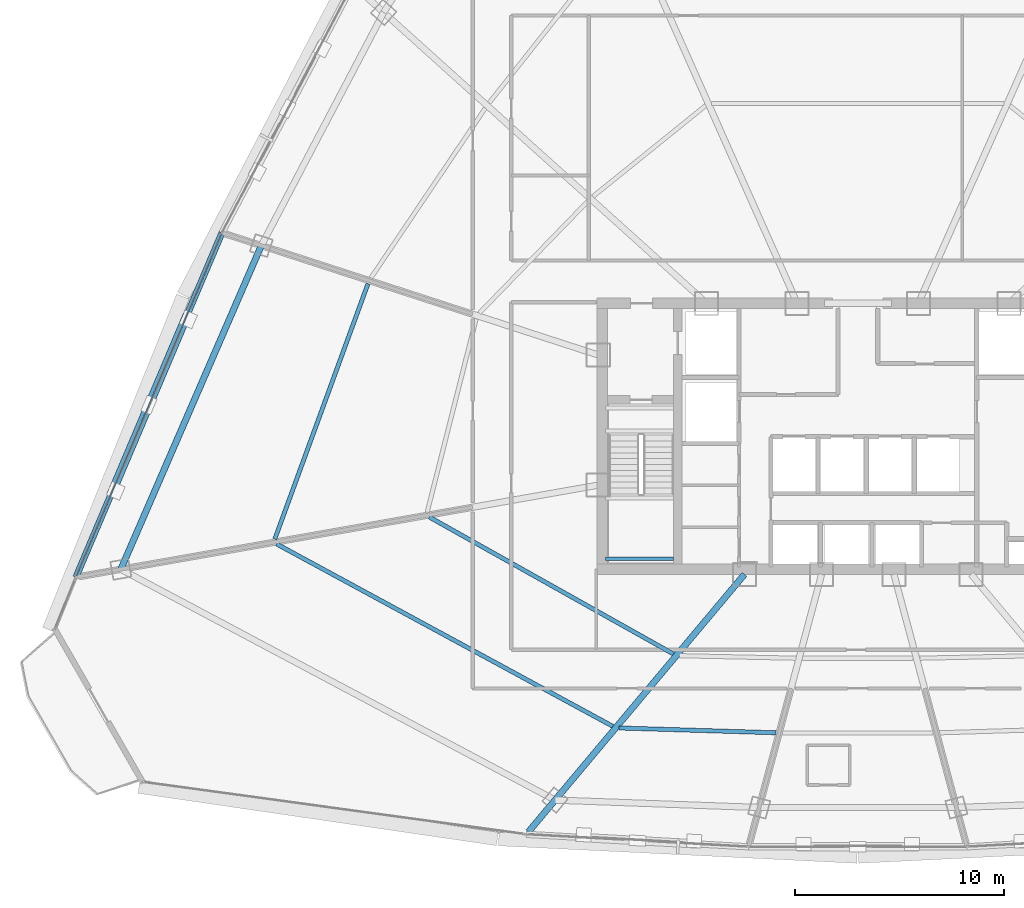
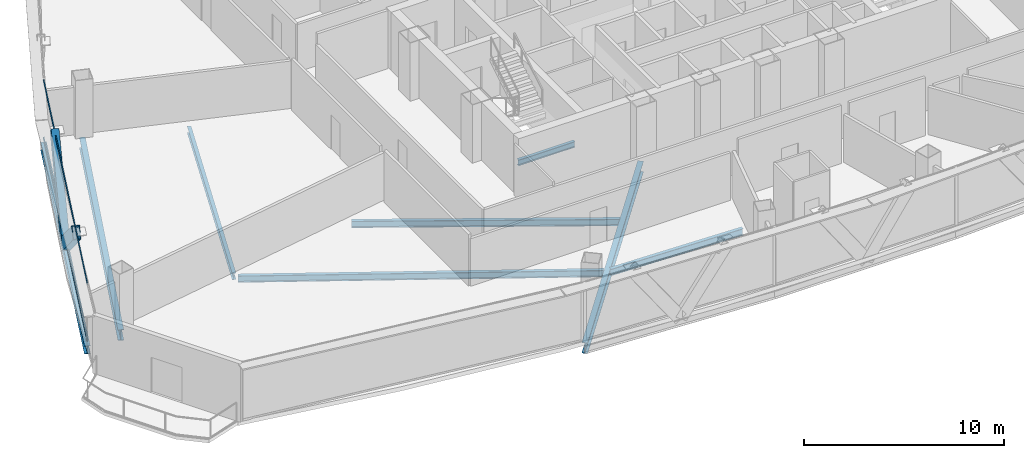
# One storey, part 7 of 37: 8 beams, 4 members, 1 element without a shape of its own.
"""IFC4 building model written with IfcOpenShell, lengths in metres."""

from ifc_helpers import new_model, si_unit, direction, frame, origin, origin_2d, place, context, subcontext, project, spatial, hollow_rectangle, i_section, extrude, source, transform, mapped, material, layer, layer_set, material_profile, profile_set, type_object, element, aggregate, save


model = new_model("IFC4")

# Units and contexts
model_context = context("Model", 3, precision=1e-05, world=origin(), true_north=direction((0.0, 1.0)))
body_context = subcontext(model_context, "Body", "Model", "MODEL_VIEW")
ifc_project = project(units=[si_unit("LENGTHUNIT", "METRE"), si_unit("AREAUNIT", "SQUARE_METRE"), si_unit("VOLUMEUNIT", "CUBIC_METRE"), si_unit("PLANEANGLEUNIT", "RADIAN"), si_unit("MASSUNIT", "GRAM", prefix="KILO"), si_unit("THERMODYNAMICTEMPERATUREUNIT", "KELVIN"), si_unit("POWERUNIT", "WATT")], contexts=[model_context])

# Site, building, storey
site_placement = place(None, origin())
site = spatial("IfcSite", under=ifc_project, at=site_placement, CompositionType="ELEMENT")
building_placement = place(site_placement, origin())
building = spatial("IfcBuilding", under=site, at=building_placement, Name="Yunzhuo Pagoda Commons", CompositionType="ELEMENT")
storey_placement = place(building_placement, frame((0.0, 0.0, 199.9599609375)))
storey = spatial("IfcBuildingStorey", under=building, at=storey_placement, Name="L50", CompositionType="ELEMENT", Elevation=199.9599609375)

# Beams
ifc_material_1 = material(Name="Structural steel Q355B", Category="steel")
ifc_material_profile_1 = material_profile(ifc_material_1, i_section(OverallWidth=0.175048828125, OverallDepth=0.35009765625, WebThickness=0.007080078125, FlangeThickness=0.010986328125, at=origin_2d()), Name="Structural steel Q355B")
ifc_profile_set_1 = profile_set([ifc_material_profile_1], Name="Structural steel Q355B")
beam_type_1 = type_object("IfcBeamType", Name="B-JS2 Joist HN 350x175x7x11", PredefinedType="JOIST", material=ifc_profile_set_1)
shared_shape_1 = source(origin(), body_context, "Body", "SweptSolid", [
    extrude(i_section(OverallWidth=0.175048828125, OverallDepth=0.35009765625, WebThickness=0.007080078125, FlangeThickness=0.010986328125, at=origin_2d()), origin(), (0.0, 0.0, 1.0), 3.25),
])
beam_1_placement = place(storey_placement, frame((35.949951171875, 28.0, 1.525146484375), z_axis=(1.0, 0.0, 0.0), x_axis=(0.0, 1.0, 0.0)))
element("IfcBeam", 1, at=beam_1_placement, inside=storey, type_object=beam_type_1, Name="L50 ST1 landing support beam 56A", PredefinedType="JOIST", context=body_context, shape_type="MappedRepresentation", body=[
    mapped(shared_shape_1, transform((0.0, 0.0, 0.0), scale=1.0)),
])
ifc_material_profile_2 = material_profile(ifc_material_1, i_section(OverallWidth=0.300048828125, OverallDepth=0.64990234375, WebThickness=0.012939453125, FlangeThickness=0.02197265625, at=origin_2d()), Name="Structural steel Q355B")
ifc_profile_set_2 = profile_set([ifc_material_profile_2], Name="Structural steel Q355B")
beam_type_2 = type_object("IfcBeamType", Name="B-RG2 Beam HN 650x300x13x22", PredefinedType="BEAM", material=ifc_profile_set_2)
shared_shape_2 = source(origin(), body_context, "Body", "SweptSolid", [
    extrude(i_section(OverallWidth=0.300048828125, OverallDepth=0.64990234375, WebThickness=0.012939453125, FlangeThickness=0.02197265625, at=origin_2d()), origin(), (0.0, 0.0, 1.0), 16.859619140625),
])
beam_2_placement = place(storey_placement, frame((19.50537109375, 42.95849609375, -0.5849609375), z_axis=(-0.398104384161, -0.917340121935, 0.0), x_axis=(0.917340121935, -0.398104384161, 0.0)))
element("IfcBeam", 2, at=beam_2_placement, inside=storey, type_object=beam_type_2, Name="L50 column-ring beam 11", PredefinedType="BEAM", context=body_context, shape_type="MappedRepresentation", body=[
    mapped(shared_shape_2, transform((0.0, 0.0, 0.0), scale=1.0)),
])
ifc_material_profile_3 = material_profile(ifc_material_1, i_section(OverallWidth=0.199951171875, OverallDepth=0.39990234375, WebThickness=0.008056640625, FlangeThickness=0.012939453125, at=origin_2d()), Name="Structural steel Q355B")
ifc_profile_set_3 = profile_set([ifc_material_profile_3], Name="Structural steel Q355B")
beam_type_3 = type_object("IfcBeamType", Name="B-JS1 Joist HN 400x200x8x13", PredefinedType="JOIST", material=ifc_profile_set_3)
shared_shape_3 = source(origin(), body_context, "Body", "SweptSolid", [
    extrude(i_section(OverallWidth=0.199951171875, OverallDepth=0.39990234375, WebThickness=0.008056640625, FlangeThickness=0.012939453125, at=origin_2d()), origin(), (0.0, 0.0, 1.0), 7.49365234375),
])
beam_3_placement = place(storey_placement, frame((36.593505859375, 19.911865234375, -0.4599609375), z_axis=(0.99952593018, -0.030788226605, 0.0), x_axis=(0.030788226605, 0.99952593018, 0.0)))
element("IfcBeam", 3, at=beam_3_placement, inside=storey, type_object=beam_type_3, Name="L50 composite ring joist 2.1", PredefinedType="JOIST", context=body_context, shape_type="MappedRepresentation", body=[
    mapped(shared_shape_3, transform((0.0, 0.0, 0.0), scale=1.0)),
])
shared_shape_4 = source(origin(), body_context, "Body", "SweptSolid", [
    extrude(i_section(OverallWidth=0.199951171875, OverallDepth=0.39990234375, WebThickness=0.008056640625, FlangeThickness=0.012939453125, at=origin_2d()), origin(), (0.0, 0.0, 1.0), 13.372802734375),
])
beam_4_placement = place(storey_placement, frame((27.5283203125, 29.988037109375, -0.4599609375), z_axis=(0.872150261016, -0.4892381038, 0.0), x_axis=(0.4892381038, 0.872150261016, 0.0)))
element("IfcBeam", 4, at=beam_4_placement, inside=storey, type_object=beam_type_3, Name="L50 composite ring joist 1.12", PredefinedType="JOIST", context=body_context, shape_type="MappedRepresentation", body=[
    mapped(shared_shape_4, transform((0.0, 0.0, 0.0), scale=1.0)),
])
shared_shape_5 = source(origin(), body_context, "Body", "SweptSolid", [
    extrude(i_section(OverallWidth=0.199951171875, OverallDepth=0.39990234375, WebThickness=0.008056640625, FlangeThickness=0.012939453125, at=origin_2d()), origin(), (0.0, 0.0, 1.0), 18.27294921875),
])
beam_5_placement = place(storey_placement, frame((20.2314453125, 28.703125, -0.4599609375), z_axis=(0.879067821824, -0.476696721861, 0.0), x_axis=(0.476696721861, 0.879067821824, 0.0)))
element("IfcBeam", 5, at=beam_5_placement, inside=storey, type_object=beam_type_3, Name="L50 composite ring joist 2.12", PredefinedType="JOIST", context=body_context, shape_type="MappedRepresentation", body=[
    mapped(shared_shape_5, transform((0.0, 0.0, 0.0), scale=1.0)),
])
shared_shape_6 = source(origin(), body_context, "Body", "SweptSolid", [
    extrude(i_section(OverallWidth=0.199951171875, OverallDepth=0.39990234375, WebThickness=0.008056640625, FlangeThickness=0.012939453125, at=origin_2d()), origin(), (0.0, 0.0, 1.0), 12.994873046875),
])
beam_6_placement = place(storey_placement, frame((24.60107421875, 41.1357421875, -0.4599609375), z_axis=(-0.342834977914, -0.939395645039, 0.0), x_axis=(0.939395645039, -0.342834977914, 0.0)))
element("IfcBeam", 6, at=beam_6_placement, inside=storey, type_object=beam_type_3, Name="L50 composite ring joist 2.11", PredefinedType="JOIST", context=body_context, shape_type="MappedRepresentation", body=[
    mapped(shared_shape_6, transform((0.0, 0.0, 0.0), scale=1.0)),
])
shared_shape_7 = source(origin(), body_context, "Body", "SweptSolid", [
    extrude(i_section(OverallWidth=0.300048828125, OverallDepth=0.64990234375, WebThickness=0.012939453125, FlangeThickness=0.02197265625, at=origin_2d()), origin(), (0.0, 0.0, 1.0), 16.0595703125),
])
beam_7_placement = place(storey_placement, frame((32.264892578125, 14.94775390625, -0.5849609375), z_axis=(0.64279447514, 0.766038682267, 0.0), x_axis=(-0.766038682267, 0.64279447514, 0.0)))
element("IfcBeam", 7, at=beam_7_placement, inside=storey, type_object=beam_type_2, Name="L50 radial floor girder F1C1", PredefinedType="BEAM", context=body_context, shape_type="MappedRepresentation", body=[
    mapped(shared_shape_7, transform((0.0, 0.0, 0.0), scale=1.0)),
])
ifc_material_profile_4 = material_profile(ifc_material_1, i_section(OverallWidth=0.300048828125, OverallDepth=0.488037109375, WebThickness=0.010986328125, FlangeThickness=0.01806640625, at=origin_2d()), Name="Structural steel Q355B")
ifc_profile_set_4 = profile_set([ifc_material_profile_4], Name="Structural steel Q355B")
beam_type_4 = type_object("IfcBeamType", Name="B-SP1 Beam HM 488x300x11x18", PredefinedType="BEAM", material=ifc_profile_set_4)
shared_shape_8 = source(origin(), body_context, "Body", "SweptSolid", [
    extrude(i_section(OverallWidth=0.300048828125, OverallDepth=0.488037109375, WebThickness=0.010986328125, FlangeThickness=0.01806640625, at=origin_2d()), origin(), (0.0, 0.0, 1.0), 17.874267578125),
])
beam_8_placement = place(storey_placement, frame((17.623779296875, 43.56982421875, -0.50390625), z_axis=(-0.390352355203, -0.920665541219, 0.0), x_axis=(0.920665541219, -0.390352355203, 0.0)))
element("IfcBeam", 8, at=beam_8_placement, inside=storey, type_object=beam_type_4, Name="L50 facade edge spandrel beam F3.3", PredefinedType="BEAM", context=body_context, shape_type="MappedRepresentation", body=[
    mapped(shared_shape_8, transform((0.0, 0.0, 0.0), scale=1.0)),
])

# Members
ifc_material_profile_5 = material_profile(ifc_material_1, hollow_rectangle(XDim=0.39990234375, YDim=0.719970703125, WallThickness=0.02392578125, at=origin_2d()), Name="Structural steel Q355B")
ifc_profile_set_5 = profile_set([ifc_material_profile_5], Name="Structural steel Q355B")
member_type_1 = type_object("IfcMemberType", Name="M-DL2 Brace BOX 720x400x24", PredefinedType="BRACE", material=ifc_profile_set_5)
shared_shape_9 = source(origin(), body_context, "Body", "SweptSolid", [
    extrude(hollow_rectangle(XDim=0.39990234375, YDim=0.719970703125, WallThickness=0.02392578125, at=origin_2d()), origin(), (0.0, 0.0, 1.0), 5.865966796875),
])
for number, where, z_axis, x_axis, name in (
    (9, (14.13525390625, 35.341796875, -0.260009765625), (0.297370330178, 0.701369461743, 0.647805344887), (-0.920666876171, 0.390349206637, 0.0), "L50 facade diamond brace F3.3L"),
    (10, (14.13525390625, 35.341796875, -0.260009765625), (-0.297379010703, -0.701348314816, 0.647824254947), (0.920658551052, -0.39036884145, 0.0), "L50 facade diamond brace F3.3R"),
):
    element("IfcMember", number, at=place(storey_placement, frame(where, z_axis=z_axis, x_axis=x_axis)), inside=storey, type_object=member_type_1, Name=name, PredefinedType="BRACE", context=body_context, shape_type="MappedRepresentation", body=[
        mapped(shared_shape_9, transform((0.0, 0.0, 0.0), scale=1.0)),
    ])

# Curtain wall, members
ifc_material_2 = material(Name="Anodized aluminium 6063-T6", Category="aluminium")
ifc_layer = layer(ifc_material_2, 0.14990234375)
ifc_layer_set = layer_set([ifc_layer], Name="Anodized aluminium 6063-T6")
curtain_wall_type = type_object("IfcCurtainWallType", Name="CW-MID Mid-Zone Ribbon Curtain Wall", PredefinedType="NOTDEFINED", material=ifc_layer_set)
curtain_wall_placement = place(storey_placement, origin())
curtain_wall = element("IfcCurtainWall", 11, at=curtain_wall_placement, inside=storey, type_object=curtain_wall_type, Name="L50 curtain wall CW-L50-F3B4", PredefinedType="NOTDEFINED")
ifc_material_profile_6 = material_profile(ifc_material_2, hollow_rectangle(XDim=0.054931640625, YDim=0.1298828125, WallThickness=0.00341796875, at=origin_2d()), Name="Anodized aluminium 6063-T6")
ifc_profile_set_6 = profile_set([ifc_material_profile_6], Name="Anodized aluminium 6063-T6")
member_type_2 = type_object("IfcMemberType", Name="CW-MID-T Transom RHS 130x55x3.5", PredefinedType="USERDEFINED", material=ifc_profile_set_6)
shared_shape_10 = source(origin(), body_context, "Body", "SweptSolid", [
    extrude(hollow_rectangle(XDim=0.054931640625, YDim=0.1298828125, WallThickness=0.00341796875, at=origin_2d()), origin(), (0.0, 0.0, 1.0), 17.754150390625),
])
member_1_placement = place(storey_placement, frame((17.600341796875, 43.5146484375, 0.027587890625), z_axis=(-0.39035313802, -0.920665209312, 0.0), x_axis=(0.920665209312, -0.39035313802, 0.0)))
member_1 = element("IfcMember", 12, at=member_1_placement, type_object=member_type_2, Name="CW transom 1.1", ObjectType="TRANSOM", PredefinedType="USERDEFINED", context=body_context, shape_type="MappedRepresentation", body=[
    mapped(shared_shape_10, transform((0.0, 0.0, 0.0), scale=1.0)),
])
member_2_placement = place(storey_placement, frame((17.600341796875, 43.5146484375, 3.512451171875), z_axis=(-0.39035313802, -0.920665209312, 0.0), x_axis=(0.920665209312, -0.39035313802, 0.0)))
member_2 = element("IfcMember", 13, at=member_2_placement, type_object=member_type_2, Name="CW transom 1.2", ObjectType="TRANSOM", PredefinedType="USERDEFINED", context=body_context, shape_type="MappedRepresentation", body=[
    mapped(shared_shape_10, transform((0.0, 0.0, 0.0), scale=1.0)),
])
aggregate(curtain_wall, [member_1, member_2])

save(model, "model.ifc")
